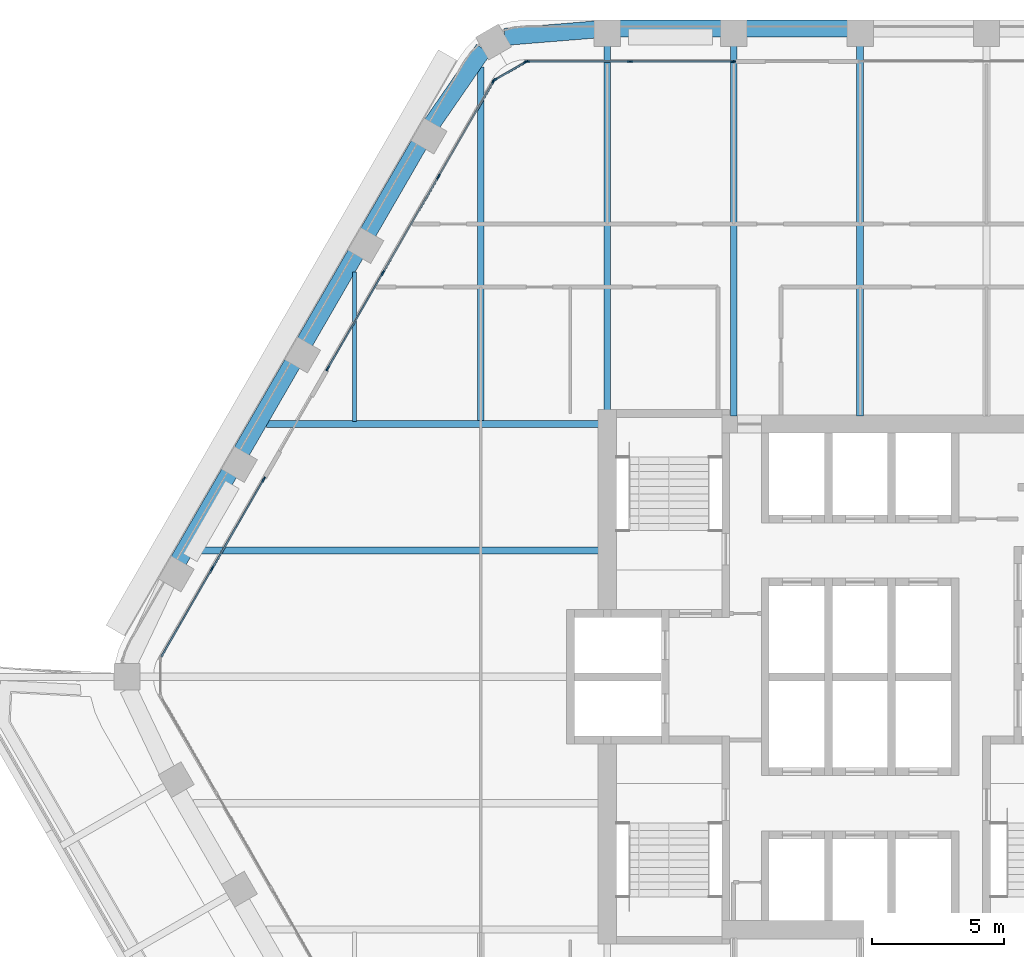
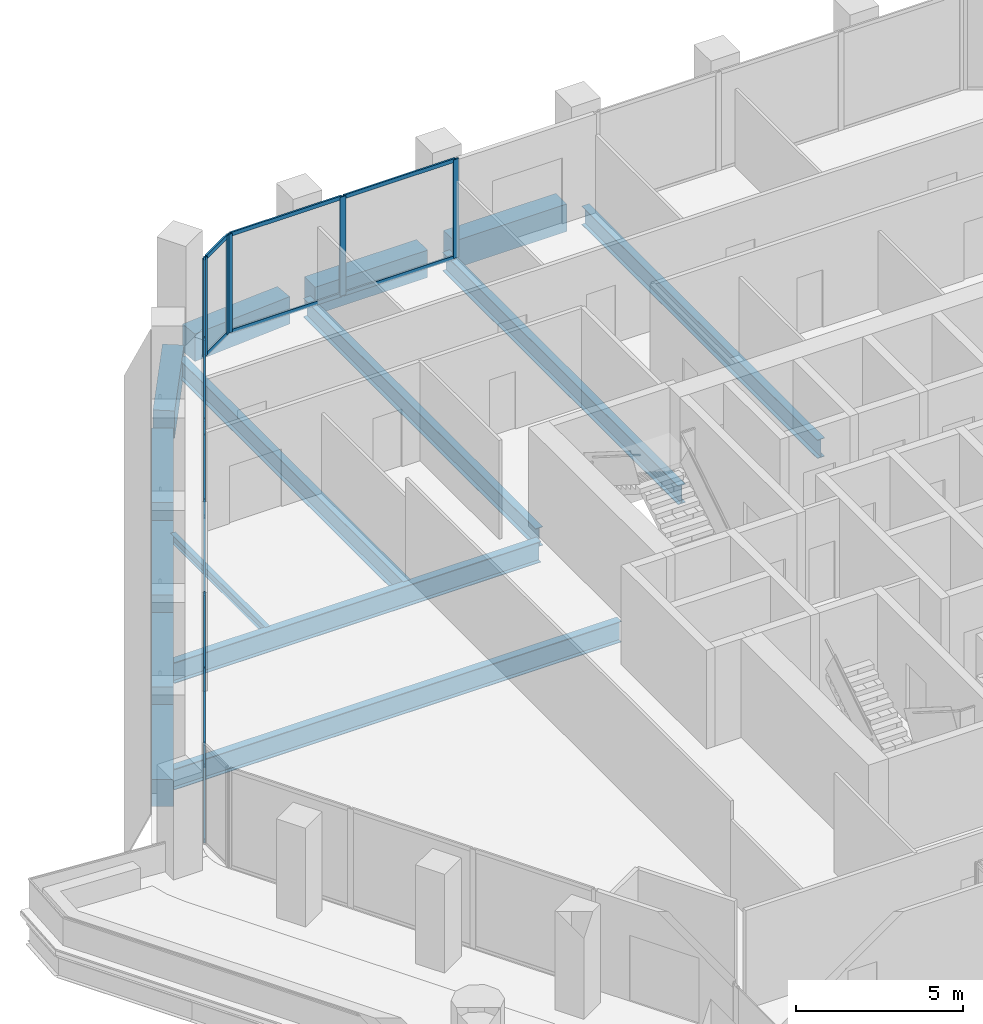
# One storey, part 6 of 18: 27 members, 15 beams, 4 elements without a shape of their own.
"""IFC4 building model written with IfcOpenShell, lengths in metres."""

import ifcopenshell
import ifcopenshell.guid

model = None  # the IFC model being written
_history = None  # IfcOwnerHistory: only IFC2X3 demands one
_inside = {}  # id of a spatial element -> (the spatial element, [elements in it])
_under = {}  # id of a project, library or spatial element -> (it, [spatial elements below it])
_declared = {}  # id of a project -> (the project, [libraries it declares])
_typed = {}  # id of a type object -> (the type object, [elements of that type])
_made_of = {}  # id of a material, layer set ... -> (it, [elements and type objects made of it])


def new_model(schema):
    """Start an empty IFC model of exactly this schema.

    Asked for "IFC4X3", IfcOpenShell would pick the latest addendum, in which some entities
    have other attributes; the version numbers below select the first issue.
    IFC2X3 requires an IfcOwnerHistory on every rooted entity: one is made here for all.
    """
    global model, _history
    if schema == "IFC4X3":
        model = ifcopenshell.file(schema_version=(4, 3, 0, 0))
    else:
        model = ifcopenshell.file(schema=schema)
    _inside.clear()
    _under.clear()
    _declared.clear()
    _typed.clear()
    _made_of.clear()
    _history = None
    if model.schema == "IFC2X3":
        org = make("IfcOrganization", Name="unknown")
        user = make(
            "IfcPersonAndOrganization",
            ThePerson=make("IfcPerson", FamilyName="unknown"),
            TheOrganization=org,
        )
        app = make(
            "IfcApplication",
            ApplicationDeveloper=org,
            Version="unknown",
            ApplicationFullName="unknown",
            ApplicationIdentifier="unknown",
        )
        _history = make(
            "IfcOwnerHistory",
            OwningUser=user,
            OwningApplication=app,
            ChangeAction="ADDED",
            CreationDate=0,
        )
    return model


def make(cls, **values):
    """One entity of the class cls with the attributes given. An attribute that is None is left unset."""
    return model.create_entity(
        cls, **{name: value for name, value in values.items() if value is not None}
    )


def rooted(cls, **values):
    """An entity with a GlobalId (a new one), such as an element, a storey or a relation."""
    return make(cls, GlobalId=ifcopenshell.guid.new(), OwnerHistory=_history, **values)


def si_unit(unit_type, name, prefix=None):
    """IfcSIUnit, for example si_unit("LENGTHUNIT", "METRE", prefix="MILLI")."""
    return make("IfcSIUnit", UnitType=unit_type, Prefix=prefix, Name=name)


def assignment(units):
    """IfcUnitAssignment: the units of a project."""
    return None if units is None else make("IfcUnitAssignment", Units=units)


def point(xyz):
    """IfcCartesianPoint."""
    return None if xyz is None else make("IfcCartesianPoint", Coordinates=xyz)


def direction(xyz):
    """IfcDirection."""
    return None if xyz is None else make("IfcDirection", DirectionRatios=xyz)


def frame(location, z_axis=None, x_axis=None):
    """IfcAxis2Placement3D, a coordinate frame: its origin and axes. An axis left out is left unset."""
    return make(
        "IfcAxis2Placement3D",
        Location=point(location),
        Axis=direction(z_axis),
        RefDirection=direction(x_axis),
    )


def frame_2d(location, x_axis=None):
    """IfcAxis2Placement2D, a coordinate frame in the plane: its origin and x axis."""
    return make(
        "IfcAxis2Placement2D", Location=point(location), RefDirection=direction(x_axis)
    )


def origin():
    """The frame at (0, 0, 0) with its axes left unset."""
    return frame((0.0, 0.0, 0.0))


def origin_2d():
    """The frame at (0, 0) in the plane with its x axis left unset."""
    return frame_2d((0.0, 0.0))


def place(relative_to, where):
    """IfcLocalPlacement: puts the frame where relative to a parent placement (None: the world)."""
    return make(
        "IfcLocalPlacement", PlacementRelTo=relative_to, RelativePlacement=where
    )


def context(
    kind, dimensions, precision=None, world=None, true_north=None, identifier=None
):
    """IfcGeometricRepresentationContext, for example the 3D "Model" context."""
    return make(
        "IfcGeometricRepresentationContext",
        ContextIdentifier=identifier,
        ContextType=kind,
        CoordinateSpaceDimension=dimensions,
        Precision=precision,
        WorldCoordinateSystem=world,
        TrueNorth=true_north,
    )


def subcontext(parent, identifier, kind, view, scale=None):
    """IfcGeometricRepresentationSubContext, for example "Body" below "Model"."""
    return make(
        "IfcGeometricRepresentationSubContext",
        ContextIdentifier=identifier,
        ContextType=kind,
        ParentContext=parent,
        TargetScale=scale,
        TargetView=view,
    )


def project(units=None, contexts=None):
    """IfcProject with its units and contexts."""
    return rooted(
        "IfcProject",
        Name="project",
        RepresentationContexts=contexts,
        UnitsInContext=assignment(units),
    )


def spatial(cls, under=None, at=None, **own):
    """A site, building, storey or space (cls), placed at a placement, below another one or the project."""
    s = rooted(cls, ObjectPlacement=at, **own)
    if under is not None:
        _under.setdefault(under.id(), (under, []))[1].append(s)
    return s


def profile(cls, at=None, kind="AREA", **sizes):
    """A parametric profile (cls). Its sizes go by their IFC names, for example OverallWidth=200.0."""
    return make(cls, ProfileType=kind, Position=at, **sizes)


def rectangle(**sizes):
    """IfcRectangleProfileDef."""
    return profile("IfcRectangleProfileDef", **sizes)


def i_section(**sizes):
    """IfcIShapeProfileDef."""
    return profile("IfcIShapeProfileDef", **sizes)


def extrude(swept, where, along, depth):
    """IfcExtrudedAreaSolid: the profile swept, set in the frame where, extruded along a direction by depth."""
    return make(
        "IfcExtrudedAreaSolid",
        SweptArea=swept,
        Position=where,
        ExtrudedDirection=direction(along),
        Depth=depth,
    )


def shape(context_of_items, identifier, shape_type, items):
    """IfcShapeRepresentation: the items that make up one representation, for example the "Body"."""
    return make(
        "IfcShapeRepresentation",
        ContextOfItems=context_of_items,
        RepresentationIdentifier=identifier,
        RepresentationType=shape_type,
        Items=items,
    )


def material(Name=None, Category=None):
    """IfcMaterial."""
    return make("IfcMaterial", Name=Name, Category=Category)


def material_profile(
    of_material, cross_section, Name=None, Category=None, Priority=None
):
    """IfcMaterialProfile: a cross section and its material."""
    return make(
        "IfcMaterialProfile",
        Name=Name,
        Material=of_material,
        Profile=cross_section,
        Priority=Priority,
        Category=Category,
    )


def profile_set(profiles, Name=None, composite=None):
    """IfcMaterialProfileSet."""
    return make(
        "IfcMaterialProfileSet",
        Name=Name,
        MaterialProfiles=profiles,
        CompositeProfile=composite,
    )


def made_of(thing, what):
    """Note that an element or type object is made of a material, layer set ...; save() writes the relation."""
    if what is not None:
        _made_of.setdefault(what.id(), (what, []))[1].append(thing)
    return thing


def type_object(cls, material=None, **own):
    """A type object (cls), such as IfcWallType, which elements share."""
    return made_of(rooted(cls, **own), material)


def element(
    cls,
    number,
    at=None,
    inside=None,
    cuts=None,
    type_object=None,
    material=None,
    context=None,
    identifier="Body",
    shape_type=None,
    held_by="IfcProductDefinitionShape",
    body=None,
    shapes=None,
    **own,
):
    """One element of the class cls, such as IfcWall. Its Tag is "e" and its number.

    at: its placement. inside: the storey or other place that contains it. cuts: it is an
    opening in that element (IfcRelVoidsElement). A single representation is given by context,
    identifier, shape_type and body (its items); several are given by shapes. held_by: the class
    of the entity that holds the representations. save() writes the other relations.
    """
    e = rooted(cls, Tag="e%d" % number, ObjectPlacement=at, **own)
    if body is not None:
        shapes = [shape(context, identifier, shape_type, body)]
    if shapes is not None:
        e.Representation = make(held_by, Representations=shapes)
    if inside is not None:
        _inside.setdefault(inside.id(), (inside, []))[1].append(e)
    if cuts is not None:
        rooted(
            "IfcRelVoidsElement", RelatingBuildingElement=cuts, RelatedOpeningElement=e
        )
    if type_object is not None:
        _typed.setdefault(type_object.id(), (type_object, []))[1].append(e)
    return made_of(e, material)


def aggregate(whole, parts):
    """IfcRelAggregates: a whole, such as a stair, and the parts it consists of."""
    return rooted("IfcRelAggregates", RelatingObject=whole, RelatedObjects=parts)


def save(model, path):
    """Write the relations noted so far, then the file.

    IfcRelAggregates (storeys below a building ...), IfcRelContainedInSpatialStructure (elements
    in a storey), IfcRelDefinesByType, IfcRelAssociatesMaterial and IfcRelDeclares: one each for
    every whole, place, type object, material and project.
    """
    for whole, parts in _under.values():
        aggregate(whole, parts)
    for where, things in _inside.values():
        rooted(
            "IfcRelContainedInSpatialStructure",
            RelatedElements=things,
            RelatingStructure=where,
        )
    for kind, things in _typed.values():
        rooted("IfcRelDefinesByType", RelatedObjects=things, RelatingType=kind)
    for what, things in _made_of.values():
        rooted("IfcRelAssociatesMaterial", RelatedObjects=things, RelatingMaterial=what)
    for by, libraries in _declared.values():
        rooted("IfcRelDeclares", RelatingContext=by, RelatedDefinitions=libraries)
    model.write(path)


model = new_model("IFC4")

# Units and contexts
model_context = context("Model", 3, precision=1e-05, world=origin(), true_north=direction((0.0, 1.0)))
body_context = subcontext(model_context, "Body", "Model", "MODEL_VIEW")
ifc_project = project(units=[si_unit("LENGTHUNIT", "METRE"), si_unit("AREAUNIT", "SQUARE_METRE"), si_unit("VOLUMEUNIT", "CUBIC_METRE"), si_unit("PLANEANGLEUNIT", "RADIAN"), si_unit("MASSUNIT", "GRAM", prefix="KILO")], contexts=[model_context])

# Site, building, storey
site_placement = place(None, origin())
site = spatial("IfcSite", under=ifc_project, at=site_placement, CompositionType="ELEMENT")
building_placement = place(site_placement, origin())
building = spatial("IfcBuilding", under=site, at=building_placement, Name="Kolab Exchange Tower", CompositionType="ELEMENT")
storey_placement = place(building_placement, frame((0.0, 0.0, 212.89990234375)))
storey = spatial("IfcBuildingStorey", under=building, at=storey_placement, Name="L46", CompositionType="ELEMENT", Elevation=212.89990234375)

# Beams
ifc_material_1 = material(Name="Steel S355", Category="steel")
ifc_material_profile_1 = material_profile(ifc_material_1, i_section(OverallWidth=0.1650390625, OverallDepth=0.31005859375, WebThickness=0.005859375, FlangeThickness=0.009765625, at=origin_2d()), Name="W310X39")
ifc_profile_set_1 = profile_set([ifc_material_profile_1], Name="Steel S355")
beam_type_1 = type_object("IfcBeamType", Name="FLOOR BEAM W310X39", PredefinedType="BEAM", material=ifc_profile_set_1)
beam_1_placement = place(storey_placement, frame((-19.199951171875, 9.693603515625, -0.304931640625), z_axis=(0.0, 1.0, 0.0), x_axis=(-1.0, 0.0, 0.0)))
element("IfcBeam", 1, at=beam_1_placement, inside=storey, type_object=beam_type_1, Name="beam/L46/fr/004", PredefinedType="BEAM", context=body_context, shape_type="SweptSolid", body=[
    extrude(i_section(OverallWidth=0.1650390625, OverallDepth=0.31005859375, WebThickness=0.005859375, FlangeThickness=0.009765625, at=origin_2d()), origin(), (0.0, 0.0, 1.0), 5.674072265625),
])
ifc_material_profile_2 = material_profile(ifc_material_1, i_section(OverallWidth=0.25390625, OverallDepth=0.68408203125, WebThickness=0.012451171875, FlangeThickness=0.018798828125, at=origin_2d()), Name="W690X140")
ifc_profile_set_2 = profile_set([ifc_material_profile_2], Name="Steel S355")
beam_type_2 = type_object("IfcBeamType", Name="FLOOR BEAM W690X140", PredefinedType="BEAM", material=ifc_profile_set_2)
beam_2_placement = place(storey_placement, frame((-14.39990234375, 9.693603515625, -0.491943359375), z_axis=(0.0, 1.0, 0.0), x_axis=(-1.0, 0.0, 0.0)))
element("IfcBeam", 2, at=beam_2_placement, inside=storey, type_object=beam_type_2, Name="beam/L46/fr/006", PredefinedType="BEAM", context=body_context, shape_type="SweptSolid", body=[
    extrude(i_section(OverallWidth=0.25390625, OverallDepth=0.68408203125, WebThickness=0.012451171875, FlangeThickness=0.018798828125, at=origin_2d()), origin(), (0.0, 0.0, 1.0), 13.462158203125),
])
beam_3_placement = place(storey_placement, frame((-9.60009765625, 10.110107421875, -0.491943359375), z_axis=(0.0, 1.0, 0.0), x_axis=(-1.0, 0.0, 0.0)))
element("IfcBeam", 3, at=beam_3_placement, inside=storey, type_object=beam_type_2, Name="beam/L46/fr/008", PredefinedType="BEAM", context=body_context, shape_type="SweptSolid", body=[
    extrude(i_section(OverallWidth=0.25390625, OverallDepth=0.68408203125, WebThickness=0.012451171875, FlangeThickness=0.018798828125, at=origin_2d()), origin(), (0.0, 0.0, 1.0), 13.871337890625),
])
for number, where, z_axis, x_axis, name in (
    (4, (-4.800048828125, 9.909912109375, -0.491943359375), (0.0, 1.0, 0.0), (-1.0, 0.0, 0.0), "beam/L46/fr/012"),
    (5, (0.0, 9.909912109375, -0.491943359375), (0.0, 1.0, 0.0), (-1.0, 0.0, 0.0), "beam/L46/fr/016"),
):
    element("IfcBeam", number, at=place(storey_placement, frame(where, z_axis=z_axis, x_axis=x_axis)), inside=storey, type_object=beam_type_2, Name=name, PredefinedType="BEAM", context=body_context, shape_type="SweptSolid", body=[
        extrude(i_section(OverallWidth=0.25390625, OverallDepth=0.68408203125, WebThickness=0.012451171875, FlangeThickness=0.018798828125, at=origin_2d()), origin(), (0.0, 0.0, 1.0), 14.071533203125),
    ])
ifc_material_profile_3 = material_profile(ifc_material_1, i_section(OverallWidth=0.26708984375, OverallDepth=0.761962890625, WebThickness=0.014404296875, FlangeThickness=0.021484375, at=origin_2d()), Name="W760X173")
ifc_profile_set_3 = profile_set([ifc_material_profile_3], Name="Steel S355")
beam_type_3 = type_object("IfcBeamType", Name="FLOOR BEAM W760X173", PredefinedType="BEAM", material=ifc_profile_set_3)
beam_4_placement = place(storey_placement, frame((-25.318115234375, 4.800048828125, -0.531005859375), z_axis=(1.0, 0.0, 0.0), x_axis=(0.0, 1.0, 0.0)))
element("IfcBeam", 6, at=beam_4_placement, inside=storey, type_object=beam_type_3, Name="beam/L46/fr/002", PredefinedType="BEAM", context=body_context, shape_type="SweptSolid", body=[
    extrude(i_section(OverallWidth=0.26708984375, OverallDepth=0.761962890625, WebThickness=0.014404296875, FlangeThickness=0.021484375, at=origin_2d()), origin(), (0.0, 0.0, 1.0), 15.408203125),
])
ifc_material_profile_4 = material_profile(ifc_material_1, i_section(OverallWidth=0.26708984375, OverallDepth=0.761962890625, WebThickness=0.014404296875, FlangeThickness=0.021484375, at=origin_2d()), Name="W760X173")
ifc_profile_set_4 = profile_set([ifc_material_profile_4], Name="Steel S355")
beam_type_4 = type_object("IfcBeamType", Name="FLOOR GIRDER W760X173", PredefinedType="BEAM", material=ifc_profile_set_4)
beam_5_placement = place(storey_placement, frame((-22.546875, 9.60009765625, -0.531005859375), z_axis=(1.0, 0.0, 0.0), x_axis=(0.0, 1.0, 0.0)))
element("IfcBeam", 7, at=beam_5_placement, inside=storey, type_object=beam_type_4, Name="beam/L46/gd/001", PredefinedType="BEAM", context=body_context, shape_type="SweptSolid", body=[
    extrude(i_section(OverallWidth=0.26708984375, OverallDepth=0.761962890625, WebThickness=0.014404296875, FlangeThickness=0.021484375, at=origin_2d()), origin(), (0.0, 0.0, 1.0), 12.636962890625),
])
ifc_material_2 = material(Name="Concrete C60/75", Category="concrete")
ifc_material_profile_5 = material_profile(ifc_material_2, rectangle(XDim=0.64990234375, YDim=1.0, at=origin_2d()), Name="RC650X1000")
ifc_profile_set_5 = profile_set([ifc_material_profile_5], Name="Concrete C60/75")
beam_type_5 = type_object("IfcBeamType", Name="SPANDREL BEAM 650X1000 C60/75", PredefinedType="BEAM", material=ifc_profile_set_5)
beam_6_placement = place(storey_placement, frame((-13.493896484375, 24.2998046875, -0.64990234375), z_axis=(0.996708497182, 0.081068931445, 0.0), x_axis=(-0.081068931445, 0.996708497182, 0.0)))
element("IfcBeam", 8, at=beam_6_placement, inside=storey, type_object=beam_type_5, Name="beam/L46/sp/F1-01", PredefinedType="BEAM", context=body_context, shape_type="SweptSolid", body=[
    extrude(rectangle(XDim=0.64990234375, YDim=1.0, at=origin_2d()), origin(), (0.0, 0.0, 1.0), 3.445068359375),
])
beam_7_placement = place(storey_placement, frame((-9.139892578125, 24.616455078125, -0.64990234375), z_axis=(1.0, 0.0, 0.0), x_axis=(0.0, 1.0, 0.0)))
element("IfcBeam", 9, at=beam_7_placement, inside=storey, type_object=beam_type_5, Name="beam/L46/sp/F1-02", PredefinedType="BEAM", context=body_context, shape_type="SweptSolid", body=[
    extrude(rectangle(XDim=0.64990234375, YDim=1.0, at=origin_2d()), origin(), (0.0, 0.0, 1.0), 3.8798828125),
])
beam_8_placement = place(storey_placement, frame((-4.340087890625, 24.616455078125, -0.64990234375), z_axis=(1.0, 0.0, 0.0), x_axis=(0.0, 1.0, 0.0)))
element("IfcBeam", 10, at=beam_8_placement, inside=storey, type_object=beam_type_5, Name="beam/L46/sp/F1-03", PredefinedType="BEAM", context=body_context, shape_type="SweptSolid", body=[
    extrude(rectangle(XDim=0.64990234375, YDim=1.0, at=origin_2d()), origin(), (0.0, 0.0, 1.0), 3.880126953125),
])
for number, where, z_axis, x_axis, name in (
    (11, (-25.888427734375, 4.392822265625, -0.64990234375), (0.499996613652, 0.866027358884, 0.0), (-0.866027358884, 0.499996613652, 0.0), "beam/L46/sp/F6-02"),
    (12, (-23.488525390625, 8.5498046875, -0.64990234375), (0.499996613652, 0.866027358884, 0.0), (-0.866027358884, 0.499996613652, 0.0), "beam/L46/sp/F6-03"),
):
    element("IfcBeam", number, at=place(storey_placement, frame(where, z_axis=z_axis, x_axis=x_axis)), inside=storey, type_object=beam_type_5, Name=name, PredefinedType="BEAM", context=body_context, shape_type="SweptSolid", body=[
        extrude(rectangle(XDim=0.64990234375, YDim=1.0, at=origin_2d()), origin(), (0.0, 0.0, 1.0), 3.8798828125),
    ])
beam_9_placement = place(storey_placement, frame((-21.088623046875, 12.70654296875, -0.64990234375), z_axis=(0.50001655835, 0.866015843605, 0.0), x_axis=(-0.866015843605, 0.50001655835, 0.0)))
element("IfcBeam", 13, at=beam_9_placement, inside=storey, type_object=beam_type_5, Name="beam/L46/sp/F6-04", PredefinedType="BEAM", context=body_context, shape_type="SweptSolid", body=[
    extrude(rectangle(XDim=0.64990234375, YDim=1.0, at=origin_2d()), origin(), (0.0, 0.0, 1.0), 3.880126953125),
])
beam_10_placement = place(storey_placement, frame((-18.6884765625, 16.863525390625, -0.64990234375), z_axis=(0.499996613652, 0.866027358884, 0.0), x_axis=(-0.866027358884, 0.499996613652, 0.0)))
element("IfcBeam", 14, at=beam_10_placement, inside=storey, type_object=beam_type_5, Name="beam/L46/sp/F6-05", PredefinedType="BEAM", context=body_context, shape_type="SweptSolid", body=[
    extrude(rectangle(XDim=0.64990234375, YDim=1.0, at=origin_2d()), origin(), (0.0, 0.0, 1.0), 3.8798828125),
])
beam_11_placement = place(storey_placement, frame((-16.256103515625, 21.001953125, -0.64990234375), z_axis=(0.568572281073, 0.822633309073, 0.0), x_axis=(-0.822633309073, 0.568572281073, 0.0)))
element("IfcBeam", 15, at=beam_11_placement, inside=storey, type_object=beam_type_5, Name="beam/L46/sp/F6-06", PredefinedType="BEAM", context=body_context, shape_type="SweptSolid", body=[
    extrude(rectangle(XDim=0.64990234375, YDim=1.0, at=origin_2d()), origin(), (0.0, 0.0, 1.0), 3.445068359375),
])

# Curtain wall, members
ifc_material_3 = material(Name="Aluminium EN AW-6063 T6", Category="aluminium")
curtain_wall_type = type_object("IfcCurtainWallType", Name="UNITISED UPPER MID ZONE CURTAIN WALL", PredefinedType="NOTDEFINED", material=ifc_material_3)
curtain_wall_1_placement = place(storey_placement, origin())
curtain_wall_1 = element("IfcCurtainWall", 16, at=curtain_wall_1_placement, inside=storey, type_object=curtain_wall_type, Name="cw/L46/F1-1", PredefinedType="NOTDEFINED")
ifc_material_profile_6 = material_profile(ifc_material_3, rectangle(XDim=0.06005859375, YDim=0.199951171875, at=origin_2d()), Name="RECT 60X200")
ifc_profile_set_6 = profile_set([ifc_material_profile_6], Name="Aluminium EN AW-6063 T6")
member_type_1 = type_object("IfcMemberType", Name="UNITISED UPPER MID ZONE MULLION 60 X 200", PredefinedType="MULLION", material=ifc_profile_set_6)
member_1_placement = place(storey_placement, frame((-12.637939453125, 23.361572265625, 0.0), z_axis=(0.0, 0.0, 1.0), x_axis=(0.0, 1.0, 0.0)))
member_1 = element("IfcMember", 17, at=member_1_placement, type_object=member_type_1, Name="CW3 mullion 1", PredefinedType="MULLION", context=body_context, shape_type="SweptSolid", body=[
    extrude(rectangle(XDim=0.06005859375, YDim=0.199951171875, at=origin_2d()), origin(), (0.0, 0.0, 1.0), 3.60009765625),
])
member_2_placement = place(storey_placement, frame((-8.73388671875, 23.361572265625, 0.0), z_axis=(0.0, 0.0, 1.0), x_axis=(0.0, 1.0, 0.0)))
member_2 = element("IfcMember", 18, at=member_2_placement, type_object=member_type_1, Name="CW3 mullion 2", PredefinedType="MULLION", context=body_context, shape_type="SweptSolid", body=[
    extrude(rectangle(XDim=0.06005859375, YDim=0.199951171875, at=origin_2d()), origin(), (0.0, 0.0, 1.0), 3.60009765625),
])
member_3_placement = place(storey_placement, frame((-4.830078125, 23.361572265625, 0.0), z_axis=(0.0, 0.0, 1.0), x_axis=(0.0, 1.0, 0.0)))
member_3 = element("IfcMember", 19, at=member_3_placement, type_object=member_type_1, Name="CW3 mullion 3", PredefinedType="MULLION", context=body_context, shape_type="SweptSolid", body=[
    extrude(rectangle(XDim=0.06005859375, YDim=0.199951171875, at=origin_2d()), origin(), (0.0, 0.0, 1.0), 3.60009765625),
])

curtain_wall_2_placement = place(storey_placement, origin())
curtain_wall_2 = element("IfcCurtainWall", 20, at=curtain_wall_2_placement, inside=storey, type_object=curtain_wall_type, Name="cw/L46/F6-1", PredefinedType="NOTDEFINED")
member_4_placement = place(storey_placement, frame((-24.5986328125, 4.116943359375, 0.0), z_axis=(0.0, 0.0, 1.0), x_axis=(-0.866025440524, 0.499999936366, 0.0)))
member_4 = element("IfcMember", 21, at=member_4_placement, type_object=member_type_1, Name="CW3 mullion 2", PredefinedType="MULLION", context=body_context, shape_type="SweptSolid", body=[
    extrude(rectangle(XDim=0.06005859375, YDim=0.199951171875, at=origin_2d()), origin(), (0.0, 0.0, 1.0), 3.60009765625),
])
member_5_placement = place(storey_placement, frame((-22.646728515625, 7.497802734375, 0.0), z_axis=(0.0, 0.0, 1.0), x_axis=(-0.866025440524, 0.499999936366, 0.0)))
member_5 = element("IfcMember", 22, at=member_5_placement, type_object=member_type_1, Name="CW3 mullion 3", PredefinedType="MULLION", context=body_context, shape_type="SweptSolid", body=[
    extrude(rectangle(XDim=0.06005859375, YDim=0.199951171875, at=origin_2d()), origin(), (0.0, 0.0, 1.0), 3.60009765625),
])

curtain_wall_3_placement = place(storey_placement, origin())
curtain_wall_3 = element("IfcCurtainWall", 23, at=curtain_wall_3_placement, inside=storey, type_object=curtain_wall_type, Name="cw/L46/F6-2", PredefinedType="NOTDEFINED")
member_6_placement = place(storey_placement, frame((-20.216796875, 11.706787109375, 0.0), z_axis=(0.0, 0.0, 1.0), x_axis=(-0.866025393644, 0.500000017564, 0.0)))
member_6 = element("IfcMember", 24, at=member_6_placement, type_object=member_type_1, Name="CW3 mullion 1", PredefinedType="MULLION", context=body_context, shape_type="SweptSolid", body=[
    extrude(rectangle(XDim=0.06005859375, YDim=0.199951171875, at=origin_2d()), origin(), (0.0, 0.0, 1.0), 3.60009765625),
])
member_7_placement = place(storey_placement, frame((-18.120361328125, 15.337646484375, 0.0), z_axis=(0.0, 0.0, 1.0), x_axis=(-0.866025393644, 0.500000017564, 0.0)))
member_7 = element("IfcMember", 25, at=member_7_placement, type_object=member_type_1, Name="CW3 mullion 2", PredefinedType="MULLION", context=body_context, shape_type="SweptSolid", body=[
    extrude(rectangle(XDim=0.06005859375, YDim=0.199951171875, at=origin_2d()), origin(), (0.0, 0.0, 1.0), 3.60009765625),
])
member_8_placement = place(storey_placement, frame((-16.009033203125, 18.99462890625, 0.0), z_axis=(0.0, 0.0, 1.0), x_axis=(-0.866025393644, 0.500000017564, 0.0)))
member_8 = element("IfcMember", 26, at=member_8_placement, type_object=member_type_1, Name="CW3 mullion 3", PredefinedType="MULLION", context=body_context, shape_type="SweptSolid", body=[
    extrude(rectangle(XDim=0.06005859375, YDim=0.199951171875, at=origin_2d()), origin(), (0.0, 0.0, 1.0), 3.60009765625),
])
member_9_placement = place(storey_placement, frame((-13.91259765625, 22.62548828125, 0.0), z_axis=(0.0, 0.0, 1.0), x_axis=(-0.866025393644, 0.500000017564, 0.0)))
member_9 = element("IfcMember", 27, at=member_9_placement, type_object=member_type_1, Name="CW3 mullion 4", PredefinedType="MULLION", context=body_context, shape_type="SweptSolid", body=[
    extrude(rectangle(XDim=0.06005859375, YDim=0.199951171875, at=origin_2d()), origin(), (0.0, 0.0, 1.0), 3.60009765625),
])

curtain_wall_4_placement = place(storey_placement, origin())
curtain_wall_4 = element("IfcCurtainWall", 28, at=curtain_wall_4_placement, inside=storey, type_object=curtain_wall_type, Name="cw/L46/F6F1-corner", PredefinedType="NOTDEFINED")
member_10_placement = place(storey_placement, frame((-13.871826171875, 22.66650390625, 0.0), z_axis=(0.0, 0.0, 1.0), x_axis=(-0.50000002237, 0.866025390869, 0.0)))
member_10 = element("IfcMember", 29, at=member_10_placement, type_object=member_type_1, Name="CW3 mullion 1", PredefinedType="MULLION", context=body_context, shape_type="SweptSolid", body=[
    extrude(rectangle(XDim=0.06005859375, YDim=0.199951171875, at=origin_2d()), origin(), (0.0, 0.0, 1.0), 3.60009765625),
])
member_11_placement = place(storey_placement, frame((-12.69384765625, 23.346435546875, 0.0), z_axis=(0.0, 0.0, 1.0), x_axis=(-0.50000002237, 0.866025390869, 0.0)))
member_11 = element("IfcMember", 30, at=member_11_placement, type_object=member_type_1, Name="CW3 mullion 2", PredefinedType="MULLION", context=body_context, shape_type="SweptSolid", body=[
    extrude(rectangle(XDim=0.06005859375, YDim=0.199951171875, at=origin_2d()), origin(), (0.0, 0.0, 1.0), 3.60009765625),
])

# Member
ifc_material_profile_7 = material_profile(ifc_material_3, rectangle(XDim=0.06005859375, YDim=0.139892578125, at=origin_2d()), Name="RECT 60X140")
ifc_profile_set_7 = profile_set([ifc_material_profile_7], Name="Aluminium EN AW-6063 T6")
member_type_2 = type_object("IfcMemberType", Name="UNITISED UPPER MID ZONE TRANSOM 60 X 140", PredefinedType="USERDEFINED", material=ifc_profile_set_7)
member_12_placement = place(storey_placement, frame((-12.60791015625, 23.361572265625, 0.030029296875), z_axis=(1.0, 0.0, 0.0), x_axis=(0.0, 1.0, 0.0)))
member_12 = element("IfcMember", 31, at=member_12_placement, type_object=member_type_2, Name="CW3 transom 1.1", ObjectType="TRANSOM", PredefinedType="USERDEFINED", context=body_context, shape_type="SweptSolid", body=[
    extrude(rectangle(XDim=0.06005859375, YDim=0.139892578125, at=origin_2d()), origin(), (0.0, 0.0, 1.0), 3.843994140625),
])

member_13_placement = place(storey_placement, frame((-12.60791015625, 23.361572265625, 3.570068359375), z_axis=(1.0, 0.0, 0.0), x_axis=(0.0, 1.0, 0.0)))
member_13 = element("IfcMember", 32, at=member_13_placement, type_object=member_type_2, Name="CW3 transom 1.2", ObjectType="TRANSOM", PredefinedType="USERDEFINED", context=body_context, shape_type="SweptSolid", body=[
    extrude(rectangle(XDim=0.06005859375, YDim=0.139892578125, at=origin_2d()), origin(), (0.0, 0.0, 1.0), 3.843994140625),
])

member_14_placement = place(storey_placement, frame((-8.703857421875, 23.361572265625, 0.030029296875), z_axis=(1.0, 0.0, 0.0), x_axis=(0.0, 1.0, 0.0)))
member_14 = element("IfcMember", 33, at=member_14_placement, type_object=member_type_2, Name="CW3 transom 2.1", ObjectType="TRANSOM", PredefinedType="USERDEFINED", context=body_context, shape_type="SweptSolid", body=[
    extrude(rectangle(XDim=0.06005859375, YDim=0.139892578125, at=origin_2d()), origin(), (0.0, 0.0, 1.0), 3.84375),
])

member_15_placement = place(storey_placement, frame((-8.703857421875, 23.361572265625, 3.570068359375), z_axis=(1.0, 0.0, 0.0), x_axis=(0.0, 1.0, 0.0)))
member_15 = element("IfcMember", 34, at=member_15_placement, type_object=member_type_2, Name="CW3 transom 2.2", ObjectType="TRANSOM", PredefinedType="USERDEFINED", context=body_context, shape_type="SweptSolid", body=[
    extrude(rectangle(XDim=0.06005859375, YDim=0.139892578125, at=origin_2d()), origin(), (0.0, 0.0, 1.0), 3.84375),
])

aggregate(curtain_wall_1, [member_1, member_2, member_3, member_12, member_13, member_14, member_15])

member_16_placement = place(storey_placement, frame((-26.53564453125, 0.761962890625, 0.030029296875), z_axis=(0.499991857942, 0.866030104553, 0.0), x_axis=(-0.866030104553, 0.499991857942, 0.0)))
member_16 = element("IfcMember", 35, at=member_16_placement, type_object=member_type_2, Name="CW3 transom 1.1", ObjectType="TRANSOM", PredefinedType="USERDEFINED", context=body_context, shape_type="SweptSolid", body=[
    extrude(rectangle(XDim=0.06005859375, YDim=0.139892578125, at=origin_2d()), origin(), (0.0, 0.0, 1.0), 3.84375),
])

member_17_placement = place(storey_placement, frame((-26.53564453125, 0.761962890625, 3.570068359375), z_axis=(0.499991857942, 0.866030104553, 0.0), x_axis=(-0.866030104553, 0.499991857942, 0.0)))
member_17 = element("IfcMember", 36, at=member_17_placement, type_object=member_type_2, Name="CW3 transom 1.2", ObjectType="TRANSOM", PredefinedType="USERDEFINED", context=body_context, shape_type="SweptSolid", body=[
    extrude(rectangle(XDim=0.06005859375, YDim=0.139892578125, at=origin_2d()), origin(), (0.0, 0.0, 1.0), 3.84375),
])

member_18_placement = place(storey_placement, frame((-24.583740234375, 4.142822265625, 0.030029296875), z_axis=(0.500011990396, 0.866018481016, 0.0), x_axis=(-0.866018481016, 0.500011990396, 0.0)))
member_18 = element("IfcMember", 37, at=member_18_placement, type_object=member_type_2, Name="CW3 transom 2.1", ObjectType="TRANSOM", PredefinedType="USERDEFINED", context=body_context, shape_type="SweptSolid", body=[
    extrude(rectangle(XDim=0.06005859375, YDim=0.139892578125, at=origin_2d()), origin(), (0.0, 0.0, 1.0), 3.84423828125),
])

member_19_placement = place(storey_placement, frame((-24.583740234375, 4.142822265625, 3.570068359375), z_axis=(0.500011990396, 0.866018481016, 0.0), x_axis=(-0.866018481016, 0.500011990396, 0.0)))
member_19 = element("IfcMember", 38, at=member_19_placement, type_object=member_type_2, Name="CW3 transom 2.2", ObjectType="TRANSOM", PredefinedType="USERDEFINED", context=body_context, shape_type="SweptSolid", body=[
    extrude(rectangle(XDim=0.06005859375, YDim=0.139892578125, at=origin_2d()), origin(), (0.0, 0.0, 1.0), 3.84423828125),
])

aggregate(curtain_wall_2, [member_4, member_5, member_16, member_17, member_18, member_19])

member_20_placement = place(storey_placement, frame((-20.20166015625, 11.732666015625, 0.030029296875), z_axis=(0.500001996123, 0.866024251319, 0.0), x_axis=(-0.866024251319, 0.500001996123, 0.0)))
member_20 = element("IfcMember", 39, at=member_20_placement, type_object=member_type_2, Name="CW3 transom 1.1", ObjectType="TRANSOM", PredefinedType="USERDEFINED", context=body_context, shape_type="SweptSolid", body=[
    extrude(rectangle(XDim=0.06005859375, YDim=0.139892578125, at=origin_2d()), origin(), (0.0, 0.0, 1.0), 4.1328125),
])

member_21_placement = place(storey_placement, frame((-20.20166015625, 11.732666015625, 3.570068359375), z_axis=(0.500001996123, 0.866024251319, 0.0), x_axis=(-0.866024251319, 0.500001996123, 0.0)))
member_21 = element("IfcMember", 40, at=member_21_placement, type_object=member_type_2, Name="CW3 transom 1.2", ObjectType="TRANSOM", PredefinedType="USERDEFINED", context=body_context, shape_type="SweptSolid", body=[
    extrude(rectangle(XDim=0.06005859375, YDim=0.139892578125, at=origin_2d()), origin(), (0.0, 0.0, 1.0), 4.1328125),
])

member_22_placement = place(storey_placement, frame((-18.10546875, 15.36376953125, 0.030029296875), z_axis=(0.500037208726, 0.86600392025, 0.0), x_axis=(-0.86600392025, 0.500037208726, 0.0)))
member_22 = element("IfcMember", 41, at=member_22_placement, type_object=member_type_2, Name="CW3 transom 2.1", ObjectType="TRANSOM", PredefinedType="USERDEFINED", context=body_context, shape_type="SweptSolid", body=[
    extrude(rectangle(XDim=0.06005859375, YDim=0.139892578125, at=origin_2d()), origin(), (0.0, 0.0, 1.0), 4.162841796875),
])

member_23_placement = place(storey_placement, frame((-18.10546875, 15.36376953125, 3.570068359375), z_axis=(0.500037208726, 0.86600392025, 0.0), x_axis=(-0.86600392025, 0.500037208726, 0.0)))
member_23 = element("IfcMember", 42, at=member_23_placement, type_object=member_type_2, Name="CW3 transom 2.2", ObjectType="TRANSOM", PredefinedType="USERDEFINED", context=body_context, shape_type="SweptSolid", body=[
    extrude(rectangle(XDim=0.06005859375, YDim=0.139892578125, at=origin_2d()), origin(), (0.0, 0.0, 1.0), 4.162841796875),
])

member_24_placement = place(storey_placement, frame((-15.994140625, 19.0205078125, 0.030029296875), z_axis=(0.500001996123, 0.866024251319, 0.0), x_axis=(-0.866024251319, 0.500001996123, 0.0)))
member_24 = element("IfcMember", 43, at=member_24_placement, type_object=member_type_2, Name="CW3 transom 3.1", ObjectType="TRANSOM", PredefinedType="USERDEFINED", context=body_context, shape_type="SweptSolid", body=[
    extrude(rectangle(XDim=0.06005859375, YDim=0.139892578125, at=origin_2d()), origin(), (0.0, 0.0, 1.0), 4.1328125),
])

member_25_placement = place(storey_placement, frame((-15.994140625, 19.0205078125, 3.570068359375), z_axis=(0.500001996123, 0.866024251319, 0.0), x_axis=(-0.866024251319, 0.500001996123, 0.0)))
member_25 = element("IfcMember", 44, at=member_25_placement, type_object=member_type_2, Name="CW3 transom 3.2", ObjectType="TRANSOM", PredefinedType="USERDEFINED", context=body_context, shape_type="SweptSolid", body=[
    extrude(rectangle(XDim=0.06005859375, YDim=0.139892578125, at=origin_2d()), origin(), (0.0, 0.0, 1.0), 4.1328125),
])

aggregate(curtain_wall_3, [member_6, member_7, member_8, member_9, member_20, member_21, member_22, member_23, member_24, member_25])

member_26_placement = place(storey_placement, frame((-13.845703125, 22.681640625, 0.030029296875), z_axis=(0.86603858612, 0.49997716683, 0.0), x_axis=(-0.49997716683, 0.86603858612, 0.0)))
member_26 = element("IfcMember", 45, at=member_26_placement, type_object=member_type_2, Name="CW3 transom 1.1", ObjectType="TRANSOM", PredefinedType="USERDEFINED", context=body_context, shape_type="SweptSolid", body=[
    extrude(rectangle(XDim=0.06005859375, YDim=0.139892578125, at=origin_2d()), origin(), (0.0, 0.0, 1.0), 1.2998046875),
])

member_27_placement = place(storey_placement, frame((-13.845703125, 22.681640625, 3.570068359375), z_axis=(0.86603858612, 0.49997716683, 0.0), x_axis=(-0.49997716683, 0.86603858612, 0.0)))
member_27 = element("IfcMember", 46, at=member_27_placement, type_object=member_type_2, Name="CW3 transom 1.2", ObjectType="TRANSOM", PredefinedType="USERDEFINED", context=body_context, shape_type="SweptSolid", body=[
    extrude(rectangle(XDim=0.06005859375, YDim=0.139892578125, at=origin_2d()), origin(), (0.0, 0.0, 1.0), 1.2998046875),
])

aggregate(curtain_wall_4, [member_10, member_11, member_26, member_27])

save(model, "model.ifc")
